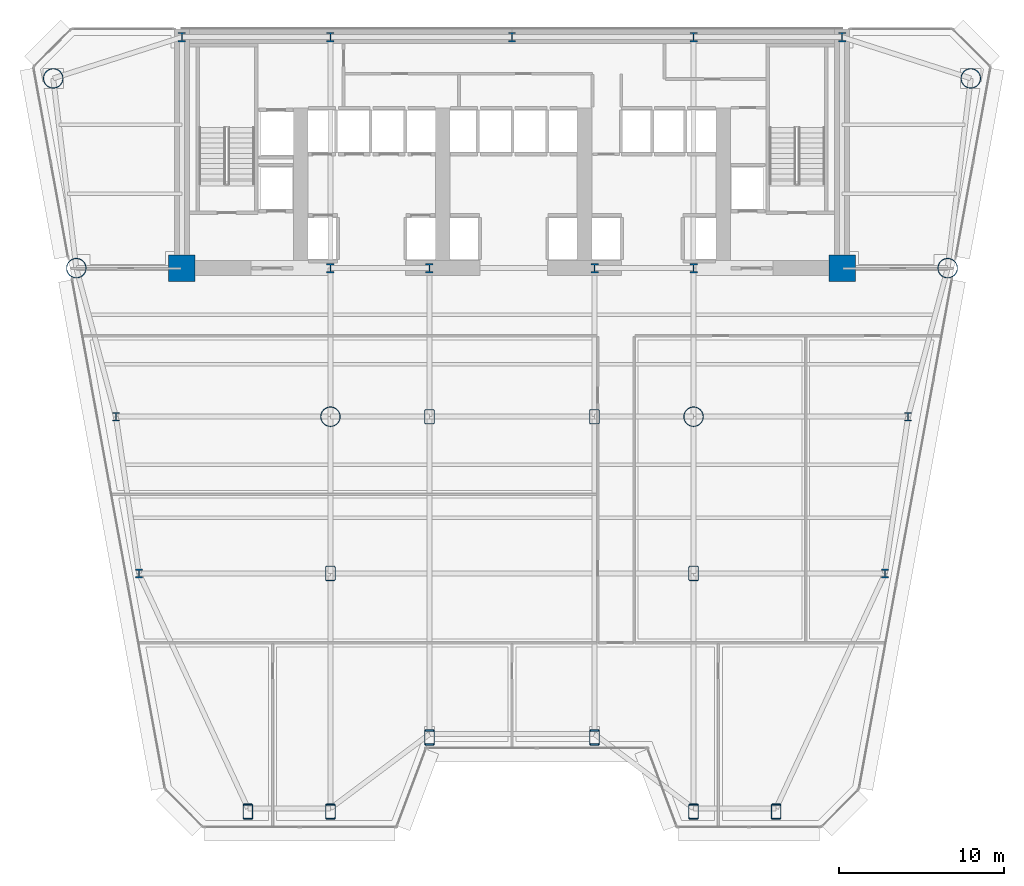
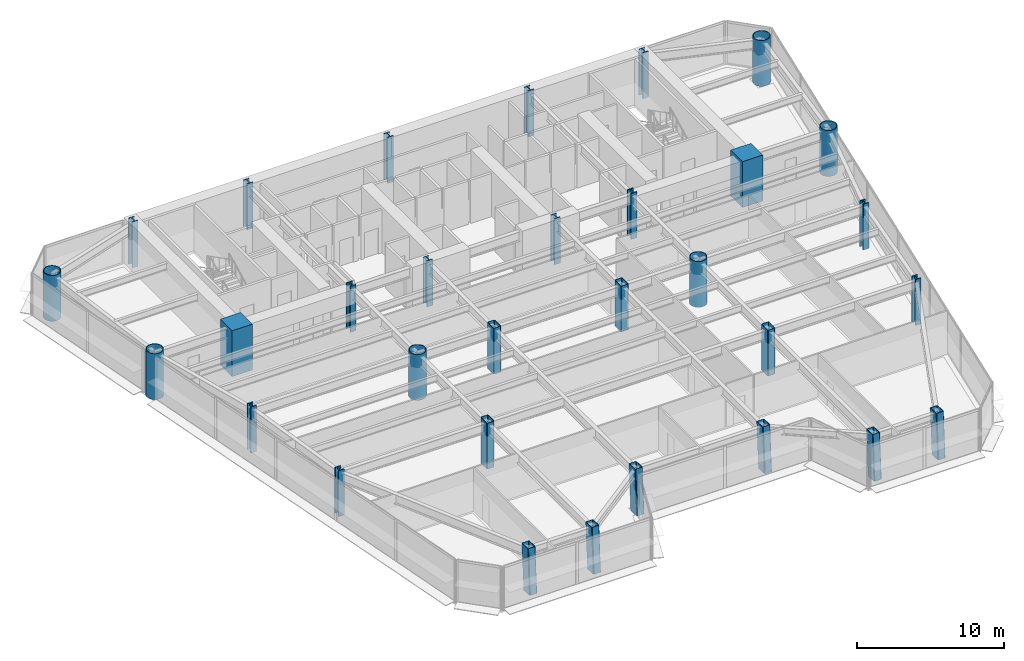
# One storey, part 1 of 14: 31 columns.
"""IFC4 building model written with IfcOpenShell, lengths in metres."""

from ifc_helpers import new_model, si_unit, direction, frame, origin, origin_2d, place, context, subcontext, project, spatial, rectangle, hollow_rectangle, hollow_circle, i_section, extrude, source, transform, mapped, material, material_profile, profile_set, type_object, element, save


model = new_model("IFC4")

# Units and contexts
model_context = context("Model", 3, precision=1e-05, world=origin(), true_north=direction((0.0, 1.0)))
body_context = subcontext(model_context, "Body", "Model", "MODEL_VIEW")
ifc_project = project(units=[si_unit("LENGTHUNIT", "METRE"), si_unit("AREAUNIT", "SQUARE_METRE"), si_unit("VOLUMEUNIT", "CUBIC_METRE"), si_unit("PLANEANGLEUNIT", "RADIAN"), si_unit("MASSUNIT", "GRAM", prefix="KILO")], contexts=[model_context])

# Site, building, storey
site_placement = place(None, origin())
site = spatial("IfcSite", under=ifc_project, at=site_placement, CompositionType="ELEMENT")
building_placement = place(site_placement, origin())
building = spatial("IfcBuilding", under=site, at=building_placement, Name="Vaeldorn Concourse Tower", CompositionType="ELEMENT")
storey_placement = place(building_placement, frame((0.0, 0.0, 60.60009765625)))
storey = spatial("IfcBuildingStorey", under=building, at=storey_placement, Name="L15", CompositionType="ELEMENT", Elevation=60.60009765625)

# Columns
ifc_material_1 = material(Name="Concrete C60/75", Category="concrete")
ifc_material_profile_1 = material_profile(ifc_material_1, rectangle(XDim=1.60009765625, YDim=1.60009765625, at=origin_2d()), Name="RC 1600x1600")
ifc_profile_set_1 = profile_set([ifc_material_profile_1], Name="Concrete C60/75")
column_type_1 = type_object("IfcColumnType", Name="COL-RC1600", PredefinedType="COLUMN", material=ifc_profile_set_1)
shared_shape_1 = source(origin(), body_context, "Body", "SweptSolid", [
    extrude(rectangle(XDim=1.60009765625, YDim=1.60009765625, at=origin_2d()), origin(), (0.0, 0.0, 1.0), 3.7998046875),
])
for number, where, z_axis, x_axis, name in (
    (1, (14.0, 36.5, 0.0), (0.0, 0.0, 1.0), (1.0, 0.0, 0.0), "Column C-FC1 L15"),
    (2, (54.0, 36.5, 0.0), (0.0, 0.0, 1.0), (1.0, 0.0, 0.0), "Column C-FC6 L15"),
):
    element("IfcColumn", number, at=place(storey_placement, frame(where, z_axis=z_axis, x_axis=x_axis)), inside=storey, type_object=column_type_1, Name=name, PredefinedType="COLUMN", context=body_context, shape_type="MappedRepresentation", body=[
        mapped(shared_shape_1, transform((0.0, 0.0, 0.0), scale=1.0)),
    ])
ifc_material_2 = material(Name="Steel S460", Category="steel")
ifc_material_profile_2 = material_profile(ifc_material_2, i_section(OverallWidth=0.4541015625, OverallDepth=0.569091796875, WebThickness=0.077880859375, FlangeThickness=0.080078125, FilletRadius=0.014892578125, at=origin_2d()), Name="HD 400x1086")
ifc_profile_set_2 = profile_set([ifc_material_profile_2], Name="Steel S460")
column_type_2 = type_object("IfcColumnType", Name="COL-HD1086", PredefinedType="COLUMN", material=ifc_profile_set_2)
shared_shape_2 = source(origin(), body_context, "Body", "SweptSolid", [
    extrude(i_section(OverallWidth=0.4541015625, OverallDepth=0.569091796875, WebThickness=0.077880859375, FlangeThickness=0.080078125, FilletRadius=0.014892578125, at=origin_2d()), origin(), (0.0, 0.0, 1.0), 3.7998046875),
])
for number, where, z_axis, x_axis, name in (
    (3, (23.0, 36.5, 0.0), (0.0, 0.0, 1.0), (1.0, 0.0, 0.0), "Column C-FC2 L15"),
    (4, (29.0, 36.5, 0.0), (0.0, 0.0, 1.0), (1.0, 0.0, 0.0), "Column C-FC3 L15"),
    (5, (39.0, 36.5, 0.0), (0.0, 0.0, 1.0), (1.0, 0.0, 0.0), "Column C-FC4 L15"),
    (6, (45.0, 36.5, 0.0), (0.0, 0.0, 1.0), (1.0, 0.0, 0.0), "Column C-FC5 L15"),
    (7, (14.0, 50.5, 0.0), (0.0, 0.0, 1.0), (1.0, 0.0, 0.0), "Column C-HC1 L15"),
    (8, (23.0, 50.5, 0.0), (0.0, 0.0, 1.0), (1.0, 0.0, 0.0), "Column C-HC2 L15"),
    (9, (34.0, 50.5, 0.0), (0.0, 0.0, 1.0), (1.0, 0.0, 0.0), "Column C-HC3 L15"),
    (10, (45.0, 50.5, 0.0), (0.0, 0.0, 1.0), (1.0, 0.0, 0.0), "Column C-HC4 L15"),
    (11, (54.0, 50.5, 0.0), (0.0, 0.0, 1.0), (1.0, 0.0, 0.0), "Column C-HC5 L15"),
):
    element("IfcColumn", number, at=place(storey_placement, frame(where, z_axis=z_axis, x_axis=x_axis)), inside=storey, type_object=column_type_2, Name=name, PredefinedType="COLUMN", context=body_context, shape_type="MappedRepresentation", body=[
        mapped(shared_shape_2, transform((0.0, 0.0, 0.0), scale=1.0)),
    ])
ifc_material_profile_3 = material_profile(ifc_material_2, hollow_circle(Radius=0.609619140625, WallThickness=0.050048828125, at=origin_2d()), Name="CHS 1219x50")
ifc_profile_set_3 = profile_set([ifc_material_profile_3], Name="Steel S460")
column_type_3 = type_object("IfcColumnType", Name="COL-CHS1219", PredefinedType="COLUMN", material=ifc_profile_set_3)
shared_shape_3 = source(origin(), body_context, "Body", "SweptSolid", [
    extrude(hollow_circle(Radius=0.609619140625, WallThickness=0.050048828125, at=origin_2d()), origin(), (0.0, 0.0, 1.0), 3.7998046875),
])
for number, where, z_axis, x_axis, name in (
    (12, (6.199951171875, 48.0, 0.0), (0.0, 0.0, 1.0), (1.0, 0.0, 0.0), "Column C-NW1 L15"),
    (13, (7.60009765625, 36.5, 0.0), (0.0, 0.0, 1.0), (1.0, 0.0, 0.0), "Column C-NW2 L15"),
    (14, (61.800048828125, 48.0, 0.0), (0.0, 0.0, 1.0), (1.0, 0.0, 0.0), "Column C-NE1 L15"),
    (15, (60.39990234375, 36.5, 0.0), (0.0, 0.0, 1.0), (1.0, 0.0, 0.0), "Column C-NE2 L15"),
    (16, (23.0, 27.5, 0.0), (0.0, 0.0, 1.0), (1.0, 0.0, 0.0), "Column C-TW1 L15"),
    (17, (45.0, 27.5, 0.0), (0.0, 0.0, 1.0), (1.0, 0.0, 0.0), "Column C-TW4 L15"),
):
    element("IfcColumn", number, at=place(storey_placement, frame(where, z_axis=z_axis, x_axis=x_axis)), inside=storey, type_object=column_type_3, Name=name, PredefinedType="COLUMN", context=body_context, shape_type="MappedRepresentation", body=[
        mapped(shared_shape_3, transform((0.0, 0.0, 0.0), scale=1.0)),
    ])
ifc_material_profile_4 = material_profile(ifc_material_2, i_section(OverallWidth=0.44189453125, OverallDepth=0.531005859375, WebThickness=0.06494140625, FlangeThickness=0.075927734375, FilletRadius=0.014892578125, at=origin_2d()), Name="HD 400x900")
ifc_profile_set_4 = profile_set([ifc_material_profile_4], Name="Steel S460")
column_type_4 = type_object("IfcColumnType", Name="COL-HD900F", PredefinedType="COLUMN", material=ifc_profile_set_4)
shared_shape_4 = source(origin(), body_context, "Body", "SweptSolid", [
    extrude(i_section(OverallWidth=0.44189453125, OverallDepth=0.531005859375, WebThickness=0.06494140625, FlangeThickness=0.075927734375, FilletRadius=0.014892578125, at=origin_2d()), origin(), (0.0, 0.0, 1.0), 3.7998046875),
])
for number, where, z_axis, x_axis, name in (
    (18, (10.0, 27.5, 0.0), (0.0, 0.0, 1.0), (1.0, 0.0, 0.0), "Column C-FLW1 L15"),
    (19, (11.39990234375, 18.0, 0.0), (0.0, 0.0, 1.0), (1.0, 0.0, 0.0), "Column C-FLW2 L15"),
    (20, (58.0, 27.5, 0.0), (0.0, 0.0, 1.0), (1.0, 0.0, 0.0), "Column C-FLE1 L15"),
    (21, (56.60009765625, 18.0, 0.0), (0.0, 0.0, 1.0), (1.0, 0.0, 0.0), "Column C-FLE2 L15"),
):
    element("IfcColumn", number, at=place(storey_placement, frame(where, z_axis=z_axis, x_axis=x_axis)), inside=storey, type_object=column_type_4, Name=name, PredefinedType="COLUMN", context=body_context, shape_type="MappedRepresentation", body=[
        mapped(shared_shape_4, transform((0.0, 0.0, 0.0), scale=1.0)),
    ])
ifc_material_profile_5 = material_profile(ifc_material_2, hollow_rectangle(XDim=0.60009765625, YDim=0.89990234375, WallThickness=0.0400390625, InnerFilletRadius=0.0400390625, OuterFilletRadius=0.080078125, at=origin_2d()), Name="RHS 900x600x40")
ifc_profile_set_5 = profile_set([ifc_material_profile_5], Name="Steel S460")
column_type_5 = type_object("IfcColumnType", Name="COL-RHS900", PredefinedType="COLUMN", material=ifc_profile_set_5)
shared_shape_5 = source(origin(), body_context, "Body", "SweptSolid", [
    extrude(hollow_rectangle(XDim=0.60009765625, YDim=0.89990234375, WallThickness=0.0400390625, InnerFilletRadius=0.0400390625, OuterFilletRadius=0.080078125, at=origin_2d()), origin(), (0.0, 0.0, 1.0), 3.7998046875),
])
for number, where, z_axis, x_axis, name in (
    (22, (29.0, 27.5, 0.0), (0.0, 0.0, 1.0), (1.0, 0.0, 0.0), "Column C-TW2 L15"),
    (23, (39.0, 27.5, 0.0), (0.0, 0.0, 1.0), (1.0, 0.0, 0.0), "Column C-TW3 L15"),
    (24, (23.0, 18.0, 0.0), (0.0, 0.0, 1.0), (1.0, 0.0, 0.0), "Column C-TW5 L15"),
    (25, (45.0, 18.0, 0.0), (0.0, 0.0, 1.0), (1.0, 0.0, 0.0), "Column C-TW6 L15"),
):
    element("IfcColumn", number, at=place(storey_placement, frame(where, z_axis=z_axis, x_axis=x_axis)), inside=storey, type_object=column_type_5, Name=name, PredefinedType="COLUMN", context=body_context, shape_type="MappedRepresentation", body=[
        mapped(shared_shape_5, transform((0.0, 0.0, 0.0), scale=1.0)),
    ])
shared_shape_6 = source(origin(), body_context, "Body", "SweptSolid", [
    extrude(hollow_rectangle(XDim=0.60009765625, YDim=0.89990234375, WallThickness=0.0400390625, InnerFilletRadius=0.0400390625, OuterFilletRadius=0.080078125, at=origin_2d()), origin(), (0.0, 0.0, 1.0), 3.743408203125),
])
for number, where, z_axis, x_axis, name in (
    (26, (18.0, 3.52978515625, 0.031982421875), (0.0, 0.06384802516, 0.997959633293), (-1.0, 0.0, 0.0), "Column C-SF1 L15"),
    (27, (23.0, 3.52978515625, 0.031982421875), (0.0, 0.06384802516, 0.997959633293), (-1.0, 0.0, 0.0), "Column C-SF2 L15"),
    (28, (29.0, 8.02978515625, 0.031982421875), (0.0, 0.06384802516, 0.997959633293), (-1.0, 0.0, 0.0), "Column C-SF3 L15"),
    (29, (39.0, 8.02978515625, 0.031982421875), (0.0, 0.06384802516, 0.997959633293), (-1.0, 0.0, 0.0), "Column C-SF4 L15"),
    (30, (45.0, 3.52978515625, 0.031982421875), (0.0, 0.06384802516, 0.997959633293), (-1.0, 0.0, 0.0), "Column C-SF5 L15"),
    (31, (50.0, 3.52978515625, 0.031982421875), (0.0, 0.06384802516, 0.997959633293), (-1.0, 0.0, 0.0), "Column C-SF6 L15"),
):
    element("IfcColumn", number, at=place(storey_placement, frame(where, z_axis=z_axis, x_axis=x_axis)), inside=storey, type_object=column_type_5, Name=name, PredefinedType="COLUMN", context=body_context, shape_type="MappedRepresentation", body=[
        mapped(shared_shape_6, transform((0.0, 0.0, 0.0), scale=1.0)),
    ])

save(model, "model.ifc")
